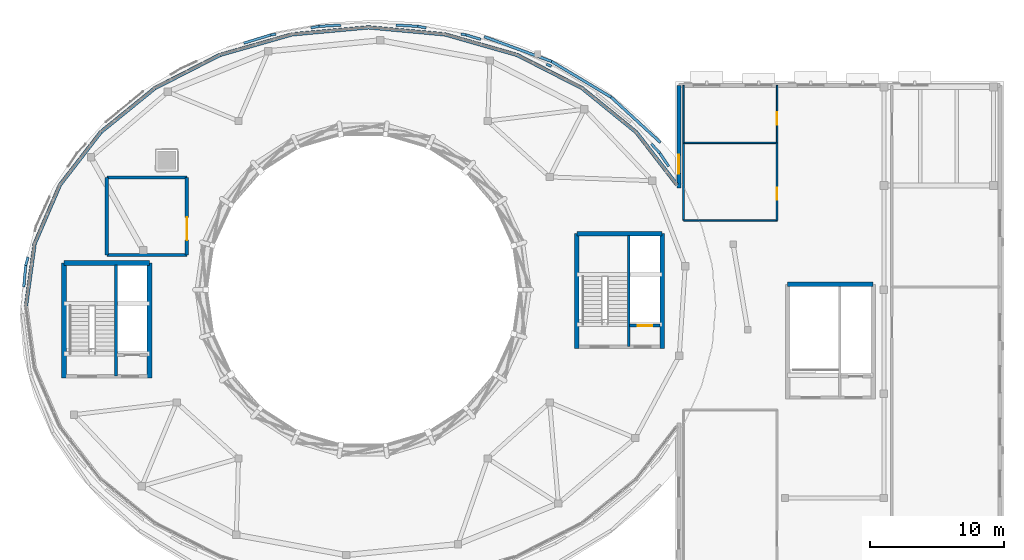
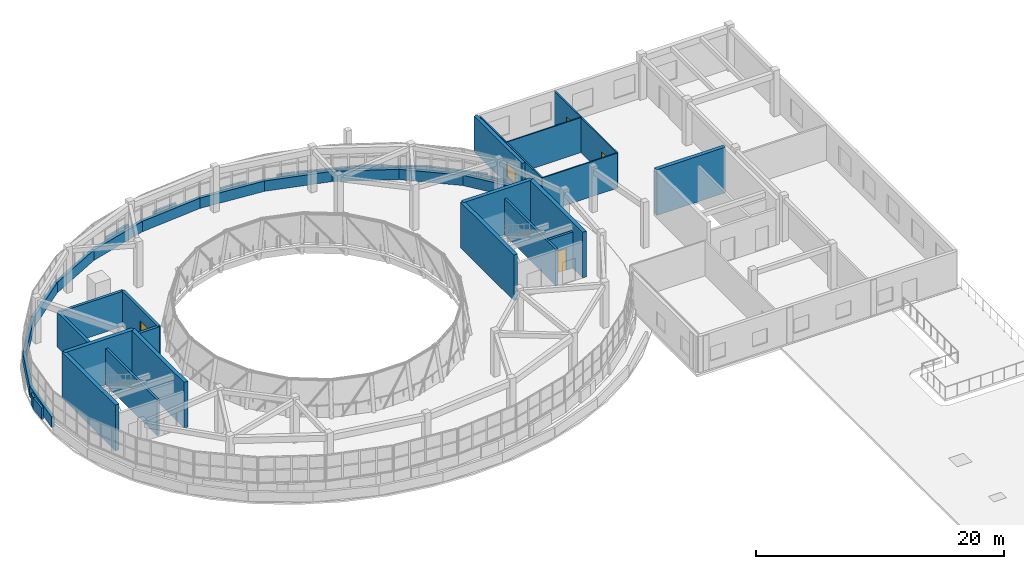
# One storey, part 37 of 46: 49 walls, 4 doors, 1 window, 5 openings.
"""IFC4 building model written with IfcOpenShell, lengths in metres."""

from ifc_helpers import new_model, si_unit, direction, frame, frame_2d, origin, place, context, subcontext, project, spatial, rectangle, extrude, material, layer, layer_set, type_object, element, fill, save


model = new_model("IFC4")

# Units and contexts
model_context = context("Model", 3, precision=1e-05, world=origin(), true_north=direction((0.0, 1.0)))
body_context = subcontext(model_context, "Body", "Model", "MODEL_VIEW")
ifc_project = project(units=[si_unit("LENGTHUNIT", "METRE"), si_unit("AREAUNIT", "SQUARE_METRE"), si_unit("VOLUMEUNIT", "CUBIC_METRE"), si_unit("PLANEANGLEUNIT", "RADIAN"), si_unit("MASSUNIT", "GRAM", prefix="KILO")], contexts=[model_context])

# Site, building, storey
site_placement = place(None, origin())
site = spatial("IfcSite", under=ifc_project, at=site_placement, CompositionType="ELEMENT")
building_placement = place(site_placement, origin())
building = spatial("IfcBuilding", under=site, at=building_placement, Name="Pelvatis Terrace Science Centre", CompositionType="ELEMENT")
storey_placement = place(building_placement, frame((0.0, 0.0, 19.800048828125)))
storey = spatial("IfcBuildingStorey", under=building, at=storey_placement, Name="L04", CompositionType="ELEMENT", Elevation=19.800048828125)

# Wall, opening, window
ifc_material_1 = material(Name="Precast concrete C35/45 architectural stone", Category="masonry")
ifc_layer_1 = layer(ifc_material_1, 0.294921875)
ifc_layer_set_1 = layer_set([ifc_layer_1], Name="Precast concrete C35/45 architectural stone")
wall_type_1 = type_object("IfcWallType", Name="WL-EXT-PREC-295", PredefinedType="SOLIDWALL", material=ifc_layer_set_1)
wall_1_placement = place(storey_placement, frame((132.85009765625, 93.39990234375, 0.0), z_axis=(0.0, 0.0, 1.0), x_axis=(0.0, 1.0, 0.0)))
wall_1 = element("IfcWall", 1, at=wall_1_placement, inside=storey, type_object=wall_type_1, Name="Exterior classical Art Deco facade wall EW-L04-WN", PredefinedType="SOLIDWALL", context=body_context, shape_type="SweptSolid", body=[
    extrude(rectangle(XDim=7.7001953125, YDim=0.294921875, at=frame_2d((3.85009765625, 0.0))), origin(), (0.0, 0.0, 1.0), 3.570068359375),
])
opening_1_placement = place(wall_1_placement, frame((1.10009765625, 0.0, 0.780029296875)))
opening_1 = element("IfcOpeningElement", 2, at=opening_1_placement, cuts=wall_1, Name="Opening W-142", PredefinedType="OPENING", context=body_context, shape_type="SweptSolid", body=[
    extrude(rectangle(XDim=1.39990234375, YDim=1.39990234375, at=frame_2d((0.699951171875, 0.699951171875))), frame((0.0, 0.157470703125, 0.0), z_axis=(0.0, -1.0, 0.0), x_axis=(1.0, 0.0, 0.0)), (0.0, 0.0, 1.0), 0.31494140625),
])
ifc_material_2 = material(Name="Bronze-anodised aluminium and laminated low-e glass", Category="aluminium")
window_type = type_object("IfcWindowType", Name="WIN-FCR-1400x1400", PartitioningType="SINGLE_PANEL", PredefinedType="WINDOW", material=ifc_material_2)
window_placement = place(opening_1_placement, origin())
window = element("IfcWindow", 3, at=window_placement, inside=storey, type_object=window_type, Name="Art Deco facade window W-142 (L04)", OverallHeight=1.39990234375, OverallWidth=1.39990234375, PartitioningType="SINGLE_PANEL", PredefinedType="WINDOW", context=body_context, shape_type="SweptSolid", body=[
    extrude(rectangle(XDim=1.39990234375, YDim=1.39990234375, at=frame_2d((0.699951171875, 0.699951171875))), frame((0.0, 0.030029296875, 0.0), z_axis=(0.0, -1.0, 0.0), x_axis=(1.0, 0.0, 0.0)), (0.0, 0.0, 1.0), 0.06005859375),
])
fill(opening_1, window)

# Walls
ifc_material_3 = material(Name="White architectural precast concrete C40/50 spandrel", Category="concrete")
ifc_layer_2 = layer(ifc_material_3, 0.27490234375)
ifc_layer_set_2 = layer_set([ifc_layer_2], Name="White architectural precast concrete C40/50 spandrel")
wall_type_2 = type_object("IfcWallType", Name="WL-EXT-SPND-275", PredefinedType="SOLIDWALL", material=ifc_layer_set_2)
wall_2_placement = place(storey_placement, frame((132.7099609375, 93.646484375, 0.0), z_axis=(0.0, 0.0, 1.0), x_axis=(-0.611576816245, 0.791185059156, 0.0)))
element("IfcWall", 4, at=wall_2_placement, inside=storey, type_object=wall_type_2, Name="V1 white spiral spandrel band 03 (L04)", PredefinedType="SOLIDWALL", context=body_context, shape_type="SweptSolid", body=[
    extrude(rectangle(XDim=4.996826171875, YDim=0.27490234375, at=frame_2d((2.49853515625, 0.0))), origin(), (0.0, 0.0, 1.0), 1.02001953125),
])
wall_3_placement = place(storey_placement, frame((129.654052734375, 97.599853515625, 0.0), z_axis=(0.0, 0.0, 1.0), x_axis=(-0.775994134664, 0.630740123162, 0.0)))
element("IfcWall", 5, at=wall_3_placement, inside=storey, type_object=wall_type_2, Name="V1 white spiral spandrel band 04 (L04)", PredefinedType="SOLIDWALL", context=body_context, shape_type="SweptSolid", body=[
    extrude(rectangle(XDim=5.23388671875, YDim=0.27490234375, at=frame_2d((2.616943359375, 0.0))), origin(), (0.0, 0.0, 1.0), 1.02001953125),
])
wall_4_placement = place(storey_placement, frame((125.592529296875, 100.901123046875, 0.0), z_axis=(0.0, 0.0, 1.0), x_axis=(-0.890558645539, 0.454868441261, 0.0)))
element("IfcWall", 6, at=wall_4_placement, inside=storey, type_object=wall_type_2, Name="V1 white spiral spandrel band 05 (L04)", PredefinedType="SOLIDWALL", context=body_context, shape_type="SweptSolid", body=[
    extrude(rectangle(XDim=5.461181640625, YDim=0.27490234375, at=frame_2d((2.73046875, 0.0))), origin(), (0.0, 0.0, 1.0), 1.02001953125),
])
wall_5_placement = place(storey_placement, frame((120.72900390625, 103.38525390625, 0.0), z_axis=(0.0, 0.0, 1.0), x_axis=(-0.961850171626, 0.273576766819, 0.0)))
element("IfcWall", 7, at=wall_5_placement, inside=storey, type_object=wall_type_2, Name="V1 white spiral spandrel band 06 (L04)", PredefinedType="SOLIDWALL", context=body_context, shape_type="SweptSolid", body=[
    extrude(rectangle(XDim=5.636474609375, YDim=0.27490234375, at=frame_2d((2.818359375, 0.0))), origin(), (0.0, 0.0, 1.0), 1.02001953125),
])
wall_6_placement = place(storey_placement, frame((115.3076171875, 104.92724609375, 0.0), z_axis=(0.0, 0.0, 1.0), x_axis=(-0.995832580877, 0.091200169204, 0.0)))
element("IfcWall", 8, at=wall_6_placement, inside=storey, type_object=wall_type_2, Name="V1 white spiral spandrel band 07 (L04)", PredefinedType="SOLIDWALL", context=body_context, shape_type="SweptSolid", body=[
    extrude(rectangle(XDim=5.7314453125, YDim=0.27490234375, at=frame_2d((2.86572265625, 0.0))), origin(), (0.0, 0.0, 1.0), 1.02001953125),
])
wall_7_placement = place(storey_placement, frame((109.60009765625, 105.449951171875, 0.0), z_axis=(0.0, 0.0, 1.0), x_axis=(-0.995832935154, -0.091196300704, 0.0)))
element("IfcWall", 9, at=wall_7_placement, inside=storey, type_object=wall_type_2, Name="V1 white spiral spandrel band 08 (L04)", PredefinedType="SOLIDWALL", context=body_context, shape_type="SweptSolid", body=[
    extrude(rectangle(XDim=5.731689453125, YDim=0.27490234375, at=frame_2d((2.86572265625, 0.0))), origin(), (0.0, 0.0, 1.0), 1.02001953125),
])
wall_8_placement = place(storey_placement, frame((103.892333984375, 104.92724609375, 0.0), z_axis=(0.0, 0.0, 1.0), x_axis=(-0.961850171626, -0.273576766819, 0.0)))
element("IfcWall", 10, at=wall_8_placement, inside=storey, type_object=wall_type_2, Name="V1 white spiral spandrel band 09 (L04)", PredefinedType="SOLIDWALL", context=body_context, shape_type="SweptSolid", body=[
    extrude(rectangle(XDim=5.636474609375, YDim=0.27490234375, at=frame_2d((2.818359375, 0.0))), origin(), (0.0, 0.0, 1.0), 1.02001953125),
])
wall_9_placement = place(storey_placement, frame((98.470947265625, 103.38525390625, 0.0), z_axis=(0.0, 0.0, 1.0), x_axis=(-0.890558645539, -0.454868441261, 0.0)))
element("IfcWall", 11, at=wall_9_placement, inside=storey, type_object=wall_type_2, Name="V1 white spiral spandrel band 10 (L04)", PredefinedType="SOLIDWALL", context=body_context, shape_type="SweptSolid", body=[
    extrude(rectangle(XDim=5.461181640625, YDim=0.27490234375, at=frame_2d((2.73046875, 0.0))), origin(), (0.0, 0.0, 1.0), 1.02001953125),
])
wall_10_placement = place(storey_placement, frame((93.607421875, 100.901123046875, 0.0), z_axis=(0.0, 0.0, 1.0), x_axis=(-0.775994134664, -0.630740123162, 0.0)))
element("IfcWall", 12, at=wall_10_placement, inside=storey, type_object=wall_type_2, Name="V1 white spiral spandrel band 11 (L04)", PredefinedType="SOLIDWALL", context=body_context, shape_type="SweptSolid", body=[
    extrude(rectangle(XDim=5.23388671875, YDim=0.27490234375, at=frame_2d((2.616943359375, 0.0))), origin(), (0.0, 0.0, 1.0), 1.02001953125),
])
wall_11_placement = place(storey_placement, frame((89.5458984375, 97.599853515625, 0.0), z_axis=(0.0, 0.0, 1.0), x_axis=(-0.611576816245, -0.791185059156, 0.0)))
element("IfcWall", 13, at=wall_11_placement, inside=storey, type_object=wall_type_2, Name="V1 white spiral spandrel band 12 (L04)", PredefinedType="SOLIDWALL", context=body_context, shape_type="SweptSolid", body=[
    extrude(rectangle(XDim=4.996826171875, YDim=0.27490234375, at=frame_2d((2.49853515625, 0.0))), origin(), (0.0, 0.0, 1.0), 1.02001953125),
])
wall_12_placement = place(storey_placement, frame((86.489990234375, 93.646484375, 0.0), z_axis=(0.0, 0.0, 1.0), x_axis=(-0.395374283189, -0.918520101137, 0.0)))
element("IfcWall", 14, at=wall_12_placement, inside=storey, type_object=wall_type_2, Name="V1 white spiral spandrel band 13 (L04)", PredefinedType="SOLIDWALL", context=body_context, shape_type="SweptSolid", body=[
    extrude(rectangle(XDim=4.7978515625, YDim=0.27490234375, at=frame_2d((2.39892578125, 0.0))), origin(), (0.0, 0.0, 1.0), 1.02001953125),
])
wall_13_placement = place(storey_placement, frame((84.593017578125, 89.239501953125, 0.0), z_axis=(0.0, 0.0, 1.0), x_axis=(-0.137297048193, -0.990529919062, 0.0)))
element("IfcWall", 15, at=wall_13_placement, inside=storey, type_object=wall_type_2, Name="V1 white spiral spandrel band 14 (L04)", PredefinedType="SOLIDWALL", context=body_context, shape_type="SweptSolid", body=[
    extrude(rectangle(XDim=4.683837890625, YDim=0.27490234375, at=frame_2d((2.341796875, 0.0))), origin(), (0.0, 0.0, 1.0), 1.02001953125),
])
ifc_material_4 = material(Name="Double-stud acoustic gypsum and masonry partition", Category="masonry")
ifc_layer_3 = layer(ifc_material_4, 0.2548828125)
ifc_layer_set_3 = layer_set([ifc_layer_3], Name="Double-stud acoustic gypsum and masonry partition")
wall_type_3 = type_object("IfcWallType", Name="WL-INT-ACOU-255", PredefinedType="PARTITIONING", material=ifc_layer_set_3)
wall_14_placement = place(storey_placement, frame((90.0, 88.39990234375, 0.0), z_axis=(0.0, 0.0, 1.0), x_axis=(1.0, 0.0, 0.0)))
element("IfcWall", 16, at=wall_14_placement, inside=storey, type_object=wall_type_3, Name="Planetarium 360-Degree Projection Cove and Server Ring partition wall S", PredefinedType="PARTITIONING", context=body_context, shape_type="SweptSolid", body=[
    extrude(rectangle(XDim=6.0, YDim=0.2548828125, at=frame_2d((3.0, 0.0))), origin(), (0.0, 0.0, 1.0), 3.449951171875),
])

# Wall, opening, door
wall_15_placement = place(storey_placement, frame((96.0, 88.39990234375, 0.0), z_axis=(0.0, 0.0, 1.0), x_axis=(0.0, 1.0, 0.0)))
wall_15 = element("IfcWall", 17, at=wall_15_placement, inside=storey, type_object=wall_type_3, Name="Planetarium 360-Degree Projection Cove and Server Ring partition wall E", PredefinedType="PARTITIONING", context=body_context, shape_type="SweptSolid", body=[
    extrude(rectangle(XDim=5.800048828125, YDim=0.2548828125, at=frame_2d((2.89990234375, 0.0))), origin(), (0.0, 0.0, 1.0), 3.449951171875),
])
opening_2_placement = place(wall_15_placement, frame((1.1201171875, 0.0, 0.0)))
opening_2 = element("IfcOpeningElement", 18, at=opening_2_placement, cuts=wall_15, Name="Opening D-216", PredefinedType="OPENING", context=body_context, shape_type="SweptSolid", body=[
    extrude(rectangle(XDim=1.699951171875, YDim=2.300048828125, at=frame_2d((0.85009765625, 1.14990234375))), frame((0.0, 0.137451171875, 0.0), z_axis=(0.0, -1.0, 0.0), x_axis=(1.0, 0.0, 0.0)), (0.0, 0.0, 1.0), 0.27490234375),
])
ifc_material_5 = material(Name="Acoustic light-lock planetarium double door", Category="wood")
door_type_1 = type_object("IfcDoorType", Name="DR-PLAN-1700x2300", OperationType="NOTDEFINED", PredefinedType="DOOR", material=ifc_material_5)
door_1_placement = place(opening_2_placement, origin())
door_1 = element("IfcDoor", 19, at=door_1_placement, inside=storey, type_object=door_type_1, Name="Planetarium 360-Degree Projection Cove and Server Ring entrance door", OperationType="DOUBLE_DOOR_SINGLE_SWING", OverallHeight=2.300048828125, OverallWidth=1.699951171875, PredefinedType="DOOR", context=body_context, shape_type="SweptSolid", body=[
    extrude(rectangle(XDim=1.699951171875, YDim=2.300048828125, at=frame_2d((0.85009765625, 1.14990234375))), frame((0.0, 0.02490234375, 0.0), z_axis=(0.0, -1.0, 0.0), x_axis=(1.0, 0.0, 0.0)), (0.0, 0.0, 1.0), 0.050048828125),
])
fill(opening_2, door_1)

# Walls
wall_16_placement = place(storey_placement, frame((96.0, 94.199951171875, 0.0), z_axis=(0.0, 0.0, 1.0), x_axis=(-1.0, 0.0, 0.0)))
element("IfcWall", 20, at=wall_16_placement, inside=storey, type_object=wall_type_3, Name="Planetarium 360-Degree Projection Cove and Server Ring partition wall N", PredefinedType="PARTITIONING", context=body_context, shape_type="SweptSolid", body=[
    extrude(rectangle(XDim=6.0, YDim=0.2548828125, at=frame_2d((3.0, 0.0))), origin(), (0.0, 0.0, 1.0), 3.449951171875),
])
wall_17_placement = place(storey_placement, frame((90.0, 94.199951171875, 0.0), z_axis=(0.0, 0.0, 1.0), x_axis=(0.0, -1.0, 0.0)))
element("IfcWall", 21, at=wall_17_placement, inside=storey, type_object=wall_type_3, Name="Planetarium 360-Degree Projection Cove and Server Ring partition wall W", PredefinedType="PARTITIONING", context=body_context, shape_type="SweptSolid", body=[
    extrude(rectangle(XDim=5.800048828125, YDim=0.2548828125, at=frame_2d((2.89990234375, 0.0))), origin(), (0.0, 0.0, 1.0), 3.449951171875),
])
ifc_material_6 = material(Name="Concrete C35/45 shaft dividing wall", Category="concrete")
ifc_layer_4 = layer(ifc_material_6, 0.2099609375)
ifc_layer_set_4 = layer_set([ifc_layer_4], Name="Concrete C35/45 shaft dividing wall")
wall_type_4 = type_object("IfcWallType", Name="WL-INT-CORE-210", PredefinedType="PARTITIONING", material=ifc_layer_set_4)
wall_18_placement = place(storey_placement, frame((90.699951171875, 79.35009765625, 0.0), z_axis=(0.0, 0.0, 1.0), x_axis=(0.0, 1.0, 0.0)))
element("IfcWall", 22, at=wall_18_placement, inside=storey, type_object=wall_type_4, Name="Core C1 stair-lift shaft fire wall (L04)", PredefinedType="PARTITIONING", context=body_context, shape_type="SweptSolid", body=[
    extrude(rectangle(XDim=8.2998046875, YDim=0.2099609375, at=frame_2d((4.14990234375, 0.0))), origin(), (0.0, 0.0, 1.0), 3.570068359375),
])
wall_19_placement = place(storey_placement, frame((129.10009765625, 81.550048828125, 0.0), z_axis=(0.0, 0.0, 1.0), x_axis=(0.0, 1.0, 0.0)))
element("IfcWall", 23, at=wall_19_placement, inside=storey, type_object=wall_type_4, Name="Core C2 stair-lift shaft fire wall (L04)", PredefinedType="PARTITIONING", context=body_context, shape_type="SweptSolid", body=[
    extrude(rectangle(XDim=8.300048828125, YDim=0.2099609375, at=frame_2d((4.14990234375, 0.0))), origin(), (0.0, 0.0, 1.0), 3.570068359375),
])

# Wall, opening, door
ifc_material_7 = material(Name="Concrete C35/45 stair enclosure wall", Category="concrete")
ifc_layer_5 = layer(ifc_material_7, 0.22509765625)
ifc_layer_set_5 = layer_set([ifc_layer_5], Name="Concrete C35/45 stair enclosure wall")
wall_type_5 = type_object("IfcWallType", Name="WL-INT-CORE-225", PredefinedType="PARTITIONING", material=ifc_layer_set_5)
wall_20_placement = place(storey_placement, frame((129.14990234375, 83.10009765625, 0.0), z_axis=(0.0, 0.0, 1.0), x_axis=(1.0, 0.0, 0.0)))
wall_20 = element("IfcWall", 24, at=wall_20_placement, inside=storey, type_object=wall_type_5, Name="Core C2 lift shaft landing wall (L04)", PredefinedType="PARTITIONING", context=body_context, shape_type="SweptSolid", body=[
    extrude(rectangle(XDim=2.300048828125, YDim=0.22509765625, at=frame_2d((1.14990234375, 0.0))), origin(), (0.0, 0.0, 1.0), 3.570068359375),
])
opening_3_placement = place(wall_20_placement, frame((0.60009765625, 0.0, 0.0)))
opening_3 = element("IfcOpeningElement", 25, at=opening_3_placement, cuts=wall_20, Name="Opening LD-C2-6", PredefinedType="OPENING", context=body_context, shape_type="SweptSolid", body=[
    extrude(rectangle(XDim=1.10009765625, YDim=2.14990234375, at=frame_2d((0.550048828125, 1.074951171875))), frame((0.0, 0.12255859375, 0.0), z_axis=(0.0, -1.0, 0.0), x_axis=(1.0, 0.0, 0.0)), (0.0, 0.0, 1.0), 0.2451171875),
])
ifc_material_8 = material(Name="Stainless steel sliding fire-fighting lift landing door", Category="steel")
door_type_2 = type_object("IfcDoorType", Name="DR-LIFT-1100x2150", OperationType="NOTDEFINED", PredefinedType="DOOR", material=ifc_material_8)
door_2_placement = place(opening_3_placement, origin())
door_2 = element("IfcDoor", 26, at=door_2_placement, inside=storey, type_object=door_type_2, Name="Lift LF-02 sliding landing door (L04)", OperationType="SLIDING_TO_RIGHT", OverallHeight=2.14990234375, OverallWidth=1.10009765625, PredefinedType="DOOR", context=body_context, shape_type="SweptSolid", body=[
    extrude(rectangle(XDim=1.10009765625, YDim=2.14990234375, at=frame_2d((0.550048828125, 1.074951171875))), frame((0.0, 0.02490234375, 0.0), z_axis=(0.0, -1.0, 0.0), x_axis=(1.0, 0.0, 0.0)), (0.0, 0.0, 1.0), 0.050048828125),
])
fill(opening_3, door_2)

# Walls
ifc_material_9 = material(Name="Alcove display partition", Category="masonry")
ifc_layer_6 = layer(ifc_material_9, 0.110107421875)
ifc_layer_set_6 = layer_set([ifc_layer_6], Name="Alcove display partition")
wall_type_6 = type_object("IfcWallType", Name="WL-INT-GAL-110", PredefinedType="PARTITIONING", material=ifc_layer_set_6)
for number, where, z_axis, x_axis, name in (
    (27, (133.199951171875, 91.0, 0.0), (0.0, 0.0, 1.0), (1.0, 0.0, 0.0), "Level L04 Public Restrooms partition wall S"),
    (28, (140.199951171875, 96.800048828125, 0.0), (0.0, 0.0, 1.0), (-1.0, 0.0, 0.0), "Level L04 Public Restrooms partition wall N"),
):
    element("IfcWall", number, at=place(storey_placement, frame(where, z_axis=z_axis, x_axis=x_axis)), inside=storey, type_object=wall_type_6, Name=name, PredefinedType="PARTITIONING", context=body_context, shape_type="SweptSolid", body=[
        extrude(rectangle(XDim=7.0, YDim=0.110107421875, at=frame_2d((3.5, 0.0))), origin(), (0.0, 0.0, 1.0), 3.449951171875),
    ])
wall_21_placement = place(storey_placement, frame((133.199951171875, 101.10009765625, 0.0), z_axis=(0.0, 0.0, 1.0), x_axis=(0.0, -1.0, 0.0)))
element("IfcWall", 29, at=wall_21_placement, inside=storey, type_object=wall_type_6, Name="Level L04 Accessible WC partition wall W", PredefinedType="PARTITIONING", context=body_context, shape_type="SweptSolid", body=[
    extrude(rectangle(XDim=4.300048828125, YDim=0.110107421875, at=frame_2d((2.14990234375, 0.0))), origin(), (0.0, 0.0, 1.0), 3.449951171875),
])
ifc_material_10 = material(Name="Office partition wall", Category="masonry")
ifc_layer_7 = layer(ifc_material_10, 0.139892578125)
ifc_layer_set_7 = layer_set([ifc_layer_7], Name="Office partition wall")
wall_type_7 = type_object("IfcWallType", Name="WL-INT-GAL-140", PredefinedType="PARTITIONING", material=ifc_layer_set_7)
wall_22_placement = place(storey_placement, frame((133.199951171875, 96.800048828125, 0.0), z_axis=(0.0, 0.0, 1.0), x_axis=(0.0, -1.0, 0.0)))
element("IfcWall", 30, at=wall_22_placement, inside=storey, type_object=wall_type_7, Name="Level L04 Public Restrooms partition wall W", PredefinedType="PARTITIONING", context=body_context, shape_type="SweptSolid", body=[
    extrude(rectangle(XDim=5.800048828125, YDim=0.139892578125, at=frame_2d((2.89990234375, 0.0))), origin(), (0.0, 0.0, 1.0), 3.449951171875),
])

# Wall, opening, door
ifc_material_11 = material(Name="Accessible WC cubicle partition", Category="masonry")
ifc_layer_8 = layer(ifc_material_11, 0.114990234375)
ifc_layer_set_8 = layer_set([ifc_layer_8], Name="Accessible WC cubicle partition")
wall_type_8 = type_object("IfcWallType", Name="WL-INT-WET-115", PredefinedType="PARTITIONING", material=ifc_layer_set_8)
wall_23_placement = place(storey_placement, frame((140.199951171875, 96.800048828125, 0.0), z_axis=(0.0, 0.0, 1.0), x_axis=(0.0, 1.0, 0.0)))
wall_23 = element("IfcWall", 31, at=wall_23_placement, inside=storey, type_object=wall_type_8, Name="Level L04 Accessible WC partition wall E", PredefinedType="PARTITIONING", context=body_context, shape_type="SweptSolid", body=[
    extrude(rectangle(XDim=4.300048828125, YDim=0.114990234375, at=frame_2d((2.14990234375, 0.0))), origin(), (0.0, 0.0, 1.0), 3.449951171875),
])
opening_4_placement = place(wall_23_placement, frame((1.35498046875, 0.0, 0.0)))
opening_4 = element("IfcOpeningElement", 32, at=opening_4_placement, cuts=wall_23, Name="Opening D-221", PredefinedType="OPENING", context=body_context, shape_type="SweptSolid", body=[
    extrude(rectangle(XDim=0.949951171875, YDim=2.10009765625, at=frame_2d((0.47509765625, 1.050048828125))), frame((0.0, 0.0673828125, 0.0), z_axis=(0.0, -1.0, 0.0), x_axis=(1.0, 0.0, 0.0)), (0.0, 0.0, 1.0), 0.135009765625),
])
ifc_material_12 = material(Name="Moisture-resistant accessible restroom door", Category="wood")
door_type_3 = type_object("IfcDoorType", Name="DR-WC-0950x2100", OperationType="NOTDEFINED", PredefinedType="DOOR", material=ifc_material_12)
door_3_placement = place(opening_4_placement, origin())
door_3 = element("IfcDoor", 33, at=door_3_placement, inside=storey, type_object=door_type_3, Name="Level L04 Accessible WC entrance door", OperationType="SINGLE_SWING_RIGHT", OverallHeight=2.10009765625, OverallWidth=0.949951171875, PredefinedType="DOOR", context=body_context, shape_type="SweptSolid", body=[
    extrude(rectangle(XDim=0.949951171875, YDim=2.10009765625, at=frame_2d((0.47509765625, 1.050048828125))), frame((0.0, 0.02490234375, 0.0), z_axis=(0.0, -1.0, 0.0), x_axis=(1.0, 0.0, 0.0)), (0.0, 0.0, 1.0), 0.050048828125),
])
fill(opening_4, door_3)

ifc_material_13 = material(Name="Ceramic-tiled wet restroom partition", Category="masonry")
ifc_layer_9 = layer(ifc_material_13, 0.1298828125)
ifc_layer_set_9 = layer_set([ifc_layer_9], Name="Ceramic-tiled wet restroom partition")
wall_type_9 = type_object("IfcWallType", Name="WL-INT-WET-130", PredefinedType="PARTITIONING", material=ifc_layer_set_9)
wall_24_placement = place(storey_placement, frame((140.199951171875, 91.0, 0.0), z_axis=(0.0, 0.0, 1.0), x_axis=(0.0, 1.0, 0.0)))
wall_24 = element("IfcWall", 34, at=wall_24_placement, inside=storey, type_object=wall_type_9, Name="Level L04 Public Restrooms partition wall E", PredefinedType="PARTITIONING", context=body_context, shape_type="SweptSolid", body=[
    extrude(rectangle(XDim=5.800048828125, YDim=0.1298828125, at=frame_2d((2.89990234375, 0.0))), origin(), (0.0, 0.0, 1.0), 3.449951171875),
])
opening_5_placement = place(wall_24_placement, frame((1.52099609375, 0.0, 0.0)))
opening_5 = element("IfcOpeningElement", 35, at=opening_5_placement, cuts=wall_24, Name="Opening D-220", PredefinedType="OPENING", context=body_context, shape_type="SweptSolid", body=[
    extrude(rectangle(XDim=0.919921875, YDim=2.10009765625, at=frame_2d((0.4599609375, 1.050048828125))), frame((0.0, 0.074951171875, 0.0), z_axis=(0.0, -1.0, 0.0), x_axis=(1.0, 0.0, 0.0)), (0.0, 0.0, 1.0), 0.14990234375),
])
ifc_material_14 = material(Name="Moisture-resistant public restroom door", Category="wood")
door_type_4 = type_object("IfcDoorType", Name="DR-WC-0920x2100", OperationType="NOTDEFINED", PredefinedType="DOOR", material=ifc_material_14)
door_4_placement = place(opening_5_placement, origin())
door_4 = element("IfcDoor", 36, at=door_4_placement, inside=storey, type_object=door_type_4, Name="Level L04 Public Restrooms entrance door", OperationType="SINGLE_SWING_LEFT", OverallHeight=2.10009765625, OverallWidth=0.919921875, PredefinedType="DOOR", context=body_context, shape_type="SweptSolid", body=[
    extrude(rectangle(XDim=0.919921875, YDim=2.10009765625, at=frame_2d((0.4599609375, 1.050048828125))), frame((0.0, 0.02490234375, 0.0), z_axis=(0.0, -1.0, 0.0), x_axis=(1.0, 0.0, 0.0)), (0.0, 0.0, 1.0), 0.050048828125),
])
fill(opening_5, door_4)

# Walls
ifc_material_15 = material(Name="White architectural precast concrete C40/50 spandrel parapet", Category="concrete")
ifc_layer_10 = layer(ifc_material_15, 0.18994140625)
ifc_layer_set_10 = layer_set([ifc_layer_10], Name="White architectural precast concrete C40/50 spandrel parapet")
wall_type_10 = type_object("IfcWallType", Name="WL-PAR-190", PredefinedType="PARAPET", material=ifc_layer_set_10)
wall_25_placement = place(storey_placement, frame((83.78271484375, 85.99755859375, 0.0), z_axis=(0.0, 0.0, 1.0), x_axis=(0.087360065394, 0.996176801062, 0.0)))
element("IfcWall", 37, at=wall_25_placement, inside=storey, type_object=wall_type_10, Name="Perimeter edge closure parapet PW-EDG-L04-382", PredefinedType="PARAPET", context=body_context, shape_type="SweptSolid", body=[
    extrude(rectangle(XDim=1.615234375, YDim=0.18994140625, at=frame_2d((0.8076171875, 0.0))), origin(), (0.0, 0.0, 1.0), 1.119873046875),
])
wall_26_placement = place(storey_placement, frame((83.923828125, 87.606689453125, 0.0), z_axis=(0.0, 0.0, 1.0), x_axis=(0.258053250242, 0.966130695113, 0.0)))
element("IfcWall", 38, at=wall_26_placement, inside=storey, type_object=wall_type_10, Name="Perimeter edge closure parapet PW-EDG-L04-383", PredefinedType="PARAPET", context=body_context, shape_type="SweptSolid", body=[
    extrude(rectangle(XDim=0.661376953125, YDim=0.18994140625, at=frame_2d((0.33056640625, 0.0))), origin(), (0.0, 0.0, 1.0), 1.119873046875),
])
wall_27_placement = place(storey_placement, frame((100.259521484375, 104.265625, 0.0), z_axis=(0.0, 0.0, 1.0), x_axis=(0.95673936566, 0.290946363093, 0.0)))
element("IfcWall", 39, at=wall_27_placement, inside=storey, type_object=wall_type_10, Name="Perimeter edge closure parapet PW-EDG-L04-388", PredefinedType="PARAPET", context=body_context, shape_type="SweptSolid", body=[
    extrude(rectangle(XDim=2.121337890625, YDim=0.18994140625, at=frame_2d((1.060546875, 0.0))), origin(), (0.0, 0.0, 1.0), 1.119873046875),
])
wall_28_placement = place(storey_placement, frame((102.2890625, 104.8828125, 0.0), z_axis=(0.0, 0.0, 1.0), x_axis=(0.984562507786, 0.175033334717, 0.0)))
element("IfcWall", 40, at=wall_28_placement, inside=storey, type_object=wall_type_10, Name="Perimeter edge closure parapet PW-EDG-L04-389", PredefinedType="PARAPET", context=body_context, shape_type="SweptSolid", body=[
    extrude(rectangle(XDim=0.37939453125, YDim=0.18994140625, at=frame_2d((0.189697265625, 0.0))), origin(), (0.0, 0.0, 1.0), 1.119873046875),
])
wall_29_placement = place(storey_placement, frame((105.279541015625, 105.413330078125, 0.0), z_axis=(0.0, 0.0, 1.0), x_axis=(0.984675326664, 0.17439753742, 0.0)))
element("IfcWall", 41, at=wall_29_placement, inside=storey, type_object=wall_type_10, Name="Perimeter edge closure parapet PW-EDG-L04-390", PredefinedType="PARAPET", context=body_context, shape_type="SweptSolid", body=[
    extrude(rectangle(XDim=0.636962890625, YDim=0.18994140625, at=frame_2d((0.318359375, 0.0))), origin(), (0.0, 0.0, 1.0), 1.119873046875),
])
for number, where, z_axis, x_axis, name in (
    (42, (105.90673828125, 105.5244140625, 0.0), (0.0, 0.0, 1.0), (0.99829665411, 0.058342012253, 0.0), "Perimeter edge closure parapet PW-EDG-L04-391"),
    (43, (111.676513671875, 105.618896484375, 0.0), (0.0, 0.0, 1.0), (0.99829665411, -0.058342012253, 0.0), "Perimeter edge closure parapet PW-EDG-L04-392"),
):
    element("IfcWall", number, at=place(storey_placement, frame(where, z_axis=z_axis, x_axis=x_axis)), inside=storey, type_object=wall_type_10, Name=name, PredefinedType="PARAPET", context=body_context, shape_type="SweptSolid", body=[
        extrude(rectangle(XDim=1.619384765625, YDim=0.18994140625, at=frame_2d((0.8095703125, 0.0))), origin(), (0.0, 0.0, 1.0), 1.119873046875),
    ])
wall_30_placement = place(storey_placement, frame((113.293212890625, 105.5244140625, 0.0), z_axis=(0.0, 0.0, 1.0), x_axis=(0.984675326664, -0.17439753742, 0.0)))
element("IfcWall", 44, at=wall_30_placement, inside=storey, type_object=wall_type_10, Name="Perimeter edge closure parapet PW-EDG-L04-393", PredefinedType="PARAPET", context=body_context, shape_type="SweptSolid", body=[
    extrude(rectangle(XDim=0.636962890625, YDim=0.18994140625, at=frame_2d((0.318359375, 0.0))), origin(), (0.0, 0.0, 1.0), 1.119873046875),
])
wall_31_placement = place(storey_placement, frame((116.53759765625, 104.94921875, 0.0), z_axis=(0.0, 0.0, 1.0), x_axis=(0.984542774188, -0.175144299921, 0.0)))
element("IfcWall", 45, at=wall_31_placement, inside=storey, type_object=wall_type_10, Name="Perimeter edge closure parapet PW-EDG-L04-394", PredefinedType="PARAPET", context=body_context, shape_type="SweptSolid", body=[
    extrude(rectangle(XDim=0.379150390625, YDim=0.18994140625, at=frame_2d((0.189453125, 0.0))), origin(), (0.0, 0.0, 1.0), 1.119873046875),
])
wall_32_placement = place(storey_placement, frame((116.910888671875, 104.8828125, 0.0), z_axis=(0.0, 0.0, 1.0), x_axis=(0.956778761678, -0.290816782874, 0.0)))
element("IfcWall", 46, at=wall_32_placement, inside=storey, type_object=wall_type_10, Name="Perimeter edge closure parapet PW-EDG-L04-395", PredefinedType="PARAPET", context=body_context, shape_type="SweptSolid", body=[
    extrude(rectangle(XDim=1.1552734375, YDim=0.18994140625, at=frame_2d((0.57763671875, 0.0))), origin(), (0.0, 0.0, 1.0), 1.119873046875),
])
wall_33_placement = place(storey_placement, frame((122.92529296875, 102.694580078125, 0.0), z_axis=(0.0, 0.0, 1.0), x_axis=(0.913460570639, -0.406927248888, 0.0)))
element("IfcWall", 47, at=wall_33_placement, inside=storey, type_object=wall_type_10, Name="Perimeter edge closure parapet PW-EDG-L04-396", PredefinedType="PARAPET", context=body_context, shape_type="SweptSolid", body=[
    extrude(rectangle(XDim=0.40185546875, YDim=0.18994140625, at=frame_2d((0.200927734375, 0.0))), origin(), (0.0, 0.0, 1.0), 1.119873046875),
])
wall_34_placement = place(storey_placement, frame((130.781982421875, 96.72509765625, 0.0), z_axis=(0.0, 0.0, 1.0), x_axis=(0.676305541062, -0.736621215502, 0.0)))
element("IfcWall", 48, at=wall_34_placement, inside=storey, type_object=wall_type_10, Name="Perimeter edge closure parapet PW-EDG-L04-398", PredefinedType="PARAPET", context=body_context, shape_type="SweptSolid", body=[
    extrude(rectangle(XDim=0.951171875, YDim=0.18994140625, at=frame_2d((0.4755859375, 0.0))), origin(), (0.0, 0.0, 1.0), 1.119873046875),
])
wall_35_placement = place(storey_placement, frame((131.42529296875, 96.0244140625, 0.0), z_axis=(0.0, 0.0, 1.0), x_axis=(0.556412327291, -0.83090632567, 0.0)))
element("IfcWall", 49, at=wall_35_placement, inside=storey, type_object=wall_type_10, Name="Perimeter edge closure parapet PW-EDG-L04-399", PredefinedType="PARAPET", context=body_context, shape_type="SweptSolid", body=[
    extrude(rectangle(XDim=1.183837890625, YDim=0.18994140625, at=frame_2d((0.591796875, 0.0))), origin(), (0.0, 0.0, 1.0), 1.119873046875),
])
ifc_material_16 = material(Name="White architectural precast concrete C40/50 spandrel parapet", Category="concrete")
ifc_layer_11 = layer(ifc_material_16, 0.205078125)
ifc_layer_set_11 = layer_set([ifc_layer_11], Name="White architectural precast concrete C40/50 spandrel parapet")
wall_type_11 = type_object("IfcWallType", Name="WL-PAR-205", PredefinedType="PARAPET", material=ifc_layer_set_11)
wall_36_placement = place(storey_placement, frame((131.47412109375, 96.825439453125, 0.0), z_axis=(0.0, 0.0, 1.0), x_axis=(-0.736947988191, 0.67594945277, 0.0)))
element("IfcWall", 50, at=wall_36_placement, inside=storey, type_object=wall_type_11, Name="White spiral ring parapet PW-CRV-L04-046", PredefinedType="PARAPET", context=body_context, shape_type="SweptSolid", body=[
    extrude(rectangle(XDim=5.014892578125, YDim=0.205078125, at=frame_2d((2.50732421875, 0.0))), origin(), (0.0, 0.0, 1.0), 0.919921875),
])
wall_37_placement = place(storey_placement, frame((127.7783203125, 100.21533203125, 0.0), z_axis=(0.0, 0.0, 1.0), x_axis=(-0.857455718754, 0.514557761943, 0.0)))
element("IfcWall", 51, at=wall_37_placement, inside=storey, type_object=wall_type_11, Name="White spiral ring parapet PW-CRV-L04-047", PredefinedType="PARAPET", context=body_context, shape_type="SweptSolid", body=[
    extrude(rectangle(XDim=5.211181640625, YDim=0.205078125, at=frame_2d((2.60546875, 0.0))), origin(), (0.0, 0.0, 1.0), 0.919921875),
])
wall_38_placement = place(storey_placement, frame((123.31005859375, 102.896728515625, 0.0), z_axis=(0.0, 0.0, 1.0), x_axis=(-0.938556923092, 0.345124473365, 0.0)))
element("IfcWall", 52, at=wall_38_placement, inside=storey, type_object=wall_type_11, Name="White spiral ring parapet PW-CRV-L04-048", PredefinedType="PARAPET", context=body_context, shape_type="SweptSolid", body=[
    extrude(rectangle(XDim=5.376220703125, YDim=0.205078125, at=frame_2d((2.68798828125, 0.0))), origin(), (0.0, 0.0, 1.0), 0.919921875),
])
ifc_material_17 = material(Name="Concrete C40/50", Category="concrete")
ifc_layer_12 = layer(ifc_material_17, 0.35009765625)
ifc_layer_set_12 = layer_set([ifc_layer_12], Name="Concrete C40/50")
wall_type_12 = type_object("IfcWallType", Name="WL-SHR-350", PredefinedType="SHEAR", material=ifc_layer_set_12)
wall_39_placement = place(storey_placement, frame((86.800048828125, 87.800048828125, 0.0), z_axis=(0.0, 0.0, 1.0), x_axis=(1.0, 0.0, 0.0)))
element("IfcWall", 53, at=wall_39_placement, inside=storey, type_object=wall_type_12, Name="Core C1 shear wall N (L04)", PredefinedType="SHEAR", context=body_context, shape_type="SweptSolid", body=[
    extrude(rectangle(XDim=6.39990234375, YDim=0.35009765625, at=frame_2d((3.199951171875, 0.0))), origin(), (0.0, 0.0, 1.0), 4.5),
])
for number, where, z_axis, x_axis, name in (
    (54, (86.800048828125, 79.199951171875, 0.0), (0.0, 0.0, 1.0), (0.0, 1.0, 0.0), "Core C1 shear wall W (L04)"),
    (55, (93.199951171875, 79.199951171875, 0.0), (0.0, 0.0, 1.0), (0.0, 1.0, 0.0), "Core C1 shear wall E (L04)"),
):
    element("IfcWall", number, at=place(storey_placement, frame(where, z_axis=z_axis, x_axis=x_axis)), inside=storey, type_object=wall_type_12, Name=name, PredefinedType="SHEAR", context=body_context, shape_type="SweptSolid", body=[
        extrude(rectangle(XDim=8.60009765625, YDim=0.35009765625, at=frame_2d((4.300048828125, 0.0))), origin(), (0.0, 0.0, 1.0), 4.5),
    ])
wall_40_placement = place(storey_placement, frame((125.199951171875, 90.0, 0.0), z_axis=(0.0, 0.0, 1.0), x_axis=(1.0, 0.0, 0.0)))
element("IfcWall", 56, at=wall_40_placement, inside=storey, type_object=wall_type_12, Name="Core C2 shear wall N (L04)", PredefinedType="SHEAR", context=body_context, shape_type="SweptSolid", body=[
    extrude(rectangle(XDim=6.400146484375, YDim=0.35009765625, at=frame_2d((3.2001953125, 0.0))), origin(), (0.0, 0.0, 1.0), 4.5),
])
for number, where, z_axis, x_axis, name in (
    (57, (125.199951171875, 81.39990234375, 0.0), (0.0, 0.0, 1.0), (0.0, 1.0, 0.0), "Core C2 shear wall W (L04)"),
    (58, (131.60009765625, 81.39990234375, 0.0), (0.0, 0.0, 1.0), (0.0, 1.0, 0.0), "Core C2 shear wall E (L04)"),
):
    element("IfcWall", number, at=place(storey_placement, frame(where, z_axis=z_axis, x_axis=x_axis)), inside=storey, type_object=wall_type_12, Name=name, PredefinedType="SHEAR", context=body_context, shape_type="SweptSolid", body=[
        extrude(rectangle(XDim=8.60009765625, YDim=0.35009765625, at=frame_2d((4.300048828125, 0.0))), origin(), (0.0, 0.0, 1.0), 4.5),
    ])
wall_41_placement = place(storey_placement, frame((141.0, 86.199951171875, 0.0), z_axis=(0.0, 0.0, 1.0), x_axis=(1.0, 0.0, 0.0)))
element("IfcWall", 59, at=wall_41_placement, inside=storey, type_object=wall_type_12, Name="Core C3 shear wall N (L04)", PredefinedType="SHEAR", context=body_context, shape_type="SweptSolid", body=[
    extrude(rectangle(XDim=6.39990234375, YDim=0.35009765625, at=frame_2d((3.199951171875, 0.0))), origin(), (0.0, 0.0, 1.0), 4.5),
])

save(model, "model.ifc")
